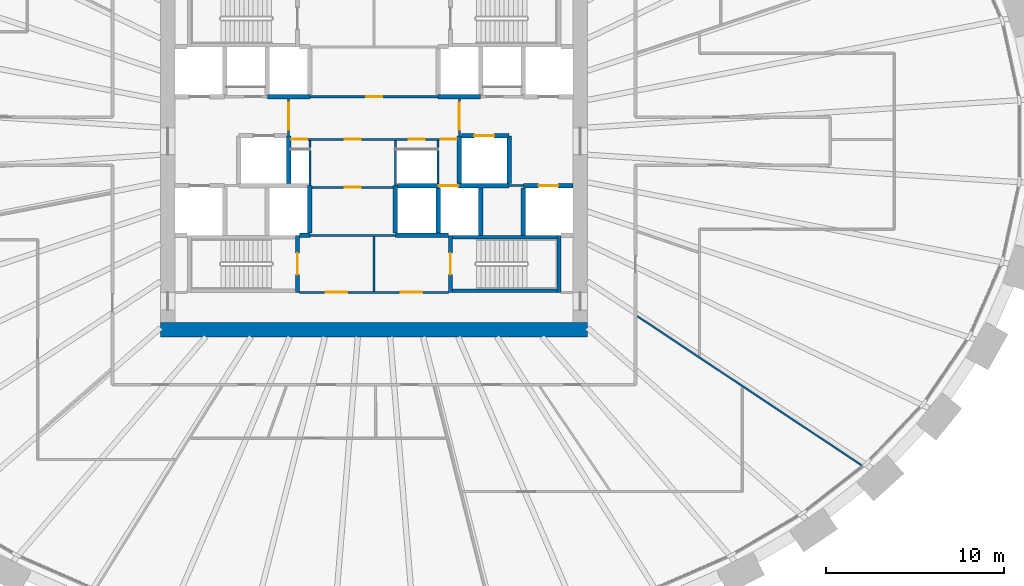
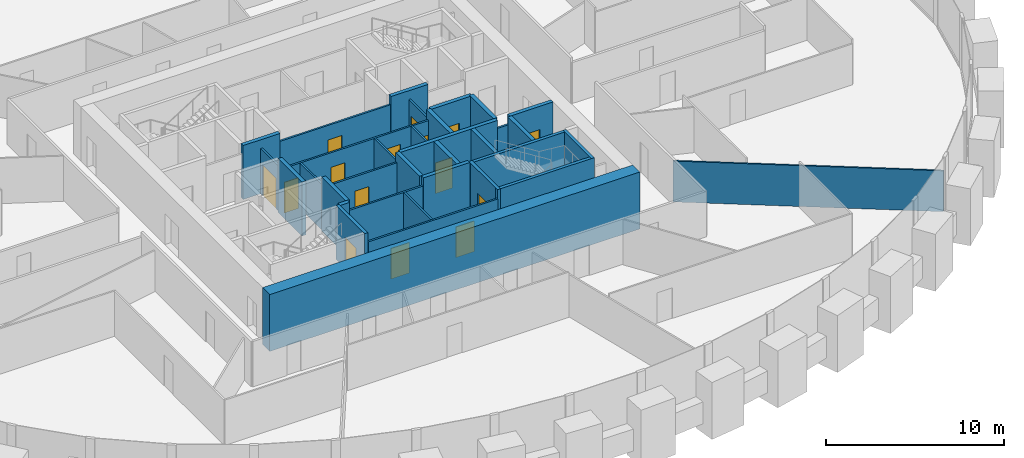
# One storey, part 7 of 10: 34 walls, 15 doors, 15 openings.
"""IFC4 building model written with IfcOpenShell, lengths in metres."""

import ifcopenshell
import ifcopenshell.guid

model = None  # the IFC model being written
_history = None  # IfcOwnerHistory: only IFC2X3 demands one
_inside = {}  # id of a spatial element -> (the spatial element, [elements in it])
_under = {}  # id of a project, library or spatial element -> (it, [spatial elements below it])
_declared = {}  # id of a project -> (the project, [libraries it declares])
_typed = {}  # id of a type object -> (the type object, [elements of that type])
_made_of = {}  # id of a material, layer set ... -> (it, [elements and type objects made of it])


def new_model(schema):
    """Start an empty IFC model of exactly this schema.

    Asked for "IFC4X3", IfcOpenShell would pick the latest addendum, in which some entities
    have other attributes; the version numbers below select the first issue.
    IFC2X3 requires an IfcOwnerHistory on every rooted entity: one is made here for all.
    """
    global model, _history
    if schema == "IFC4X3":
        model = ifcopenshell.file(schema_version=(4, 3, 0, 0))
    else:
        model = ifcopenshell.file(schema=schema)
    _inside.clear()
    _under.clear()
    _declared.clear()
    _typed.clear()
    _made_of.clear()
    _history = None
    if model.schema == "IFC2X3":
        org = make("IfcOrganization", Name="unknown")
        user = make(
            "IfcPersonAndOrganization",
            ThePerson=make("IfcPerson", FamilyName="unknown"),
            TheOrganization=org,
        )
        app = make(
            "IfcApplication",
            ApplicationDeveloper=org,
            Version="unknown",
            ApplicationFullName="unknown",
            ApplicationIdentifier="unknown",
        )
        _history = make(
            "IfcOwnerHistory",
            OwningUser=user,
            OwningApplication=app,
            ChangeAction="ADDED",
            CreationDate=0,
        )
    return model


def make(cls, **values):
    """One entity of the class cls with the attributes given. An attribute that is None is left unset."""
    return model.create_entity(
        cls, **{name: value for name, value in values.items() if value is not None}
    )


def rooted(cls, **values):
    """An entity with a GlobalId (a new one), such as an element, a storey or a relation."""
    return make(cls, GlobalId=ifcopenshell.guid.new(), OwnerHistory=_history, **values)


def si_unit(unit_type, name, prefix=None):
    """IfcSIUnit, for example si_unit("LENGTHUNIT", "METRE", prefix="MILLI")."""
    return make("IfcSIUnit", UnitType=unit_type, Prefix=prefix, Name=name)


def assignment(units):
    """IfcUnitAssignment: the units of a project."""
    return None if units is None else make("IfcUnitAssignment", Units=units)


def point(xyz):
    """IfcCartesianPoint."""
    return None if xyz is None else make("IfcCartesianPoint", Coordinates=xyz)


def direction(xyz):
    """IfcDirection."""
    return None if xyz is None else make("IfcDirection", DirectionRatios=xyz)


def frame(location, z_axis=None, x_axis=None):
    """IfcAxis2Placement3D, a coordinate frame: its origin and axes. An axis left out is left unset."""
    return make(
        "IfcAxis2Placement3D",
        Location=point(location),
        Axis=direction(z_axis),
        RefDirection=direction(x_axis),
    )


def frame_2d(location, x_axis=None):
    """IfcAxis2Placement2D, a coordinate frame in the plane: its origin and x axis."""
    return make(
        "IfcAxis2Placement2D", Location=point(location), RefDirection=direction(x_axis)
    )


def origin():
    """The frame at (0, 0, 0) with its axes left unset."""
    return frame((0.0, 0.0, 0.0))


def place(relative_to, where):
    """IfcLocalPlacement: puts the frame where relative to a parent placement (None: the world)."""
    return make(
        "IfcLocalPlacement", PlacementRelTo=relative_to, RelativePlacement=where
    )


def context(
    kind, dimensions, precision=None, world=None, true_north=None, identifier=None
):
    """IfcGeometricRepresentationContext, for example the 3D "Model" context."""
    return make(
        "IfcGeometricRepresentationContext",
        ContextIdentifier=identifier,
        ContextType=kind,
        CoordinateSpaceDimension=dimensions,
        Precision=precision,
        WorldCoordinateSystem=world,
        TrueNorth=true_north,
    )


def subcontext(parent, identifier, kind, view, scale=None):
    """IfcGeometricRepresentationSubContext, for example "Body" below "Model"."""
    return make(
        "IfcGeometricRepresentationSubContext",
        ContextIdentifier=identifier,
        ContextType=kind,
        ParentContext=parent,
        TargetScale=scale,
        TargetView=view,
    )


def project(units=None, contexts=None):
    """IfcProject with its units and contexts."""
    return rooted(
        "IfcProject",
        Name="project",
        RepresentationContexts=contexts,
        UnitsInContext=assignment(units),
    )


def spatial(cls, under=None, at=None, **own):
    """A site, building, storey or space (cls), placed at a placement, below another one or the project."""
    s = rooted(cls, ObjectPlacement=at, **own)
    if under is not None:
        _under.setdefault(under.id(), (under, []))[1].append(s)
    return s


def profile(cls, at=None, kind="AREA", **sizes):
    """A parametric profile (cls). Its sizes go by their IFC names, for example OverallWidth=200.0."""
    return make(cls, ProfileType=kind, Position=at, **sizes)


def rectangle(**sizes):
    """IfcRectangleProfileDef."""
    return profile("IfcRectangleProfileDef", **sizes)


def extrude(swept, where, along, depth):
    """IfcExtrudedAreaSolid: the profile swept, set in the frame where, extruded along a direction by depth."""
    return make(
        "IfcExtrudedAreaSolid",
        SweptArea=swept,
        Position=where,
        ExtrudedDirection=direction(along),
        Depth=depth,
    )


def shape(context_of_items, identifier, shape_type, items):
    """IfcShapeRepresentation: the items that make up one representation, for example the "Body"."""
    return make(
        "IfcShapeRepresentation",
        ContextOfItems=context_of_items,
        RepresentationIdentifier=identifier,
        RepresentationType=shape_type,
        Items=items,
    )


def source(mapping_origin, context_of_items, identifier, shape_type, items):
    """IfcRepresentationMap: a shape defined once, which mapped items show again and again."""
    return make(
        "IfcRepresentationMap",
        MappingOrigin=mapping_origin,
        MappedRepresentation=shape(context_of_items, identifier, shape_type, items),
    )


def transform(
    local_origin,
    x_axis=None,
    y_axis=None,
    z_axis=None,
    scale=None,
    scale2=None,
    scale3=None,
    uniform=True,
):
    """IfcCartesianTransformationOperator3D, or its non-uniform kind. x_axis, y_axis, z_axis: its Axis1, 2, 3."""
    if uniform:
        return make(
            "IfcCartesianTransformationOperator3D",
            Axis1=direction(x_axis),
            Axis2=direction(y_axis),
            LocalOrigin=point(local_origin),
            Scale=scale,
            Axis3=direction(z_axis),
        )
    return make(
        "IfcCartesianTransformationOperator3DnonUniform",
        Axis1=direction(x_axis),
        Axis2=direction(y_axis),
        LocalOrigin=point(local_origin),
        Scale=scale,
        Axis3=direction(z_axis),
        Scale2=scale2,
        Scale3=scale3,
    )


def mapped(mapping_source, mapping_target):
    """IfcMappedItem: shows the shape of a source again, moved by a transform."""
    return make(
        "IfcMappedItem", MappingSource=mapping_source, MappingTarget=mapping_target
    )


def material(Name=None, Category=None):
    """IfcMaterial."""
    return make("IfcMaterial", Name=Name, Category=Category)


def layer(
    of_material, thickness, ventilated=None, Name=None, Category=None, Priority=None
):
    """IfcMaterialLayer: one layer of a wall or slab, of a material (None: an air gap)."""
    return make(
        "IfcMaterialLayer",
        Material=of_material,
        LayerThickness=thickness,
        IsVentilated=ventilated,
        Name=Name,
        Category=Category,
        Priority=Priority,
    )


def layer_set(layers, Name=None):
    """IfcMaterialLayerSet."""
    return make("IfcMaterialLayerSet", MaterialLayers=layers, LayerSetName=Name)


def made_of(thing, what):
    """Note that an element or type object is made of a material, layer set ...; save() writes the relation."""
    if what is not None:
        _made_of.setdefault(what.id(), (what, []))[1].append(thing)
    return thing


def type_object(cls, material=None, **own):
    """A type object (cls), such as IfcWallType, which elements share."""
    return made_of(rooted(cls, **own), material)


def element(
    cls,
    number,
    at=None,
    inside=None,
    cuts=None,
    type_object=None,
    material=None,
    context=None,
    identifier="Body",
    shape_type=None,
    held_by="IfcProductDefinitionShape",
    body=None,
    shapes=None,
    **own,
):
    """One element of the class cls, such as IfcWall. Its Tag is "e" and its number.

    at: its placement. inside: the storey or other place that contains it. cuts: it is an
    opening in that element (IfcRelVoidsElement). A single representation is given by context,
    identifier, shape_type and body (its items); several are given by shapes. held_by: the class
    of the entity that holds the representations. save() writes the other relations.
    """
    e = rooted(cls, Tag="e%d" % number, ObjectPlacement=at, **own)
    if body is not None:
        shapes = [shape(context, identifier, shape_type, body)]
    if shapes is not None:
        e.Representation = make(held_by, Representations=shapes)
    if inside is not None:
        _inside.setdefault(inside.id(), (inside, []))[1].append(e)
    if cuts is not None:
        rooted(
            "IfcRelVoidsElement", RelatingBuildingElement=cuts, RelatedOpeningElement=e
        )
    if type_object is not None:
        _typed.setdefault(type_object.id(), (type_object, []))[1].append(e)
    return made_of(e, material)


def fill(opening, filler):
    """IfcRelFillsElement: the door or window that sits in an opening."""
    return rooted(
        "IfcRelFillsElement",
        RelatingOpeningElement=opening,
        RelatedBuildingElement=filler,
    )


def aggregate(whole, parts):
    """IfcRelAggregates: a whole, such as a stair, and the parts it consists of."""
    return rooted("IfcRelAggregates", RelatingObject=whole, RelatedObjects=parts)


def save(model, path):
    """Write the relations noted so far, then the file.

    IfcRelAggregates (storeys below a building ...), IfcRelContainedInSpatialStructure (elements
    in a storey), IfcRelDefinesByType, IfcRelAssociatesMaterial and IfcRelDeclares: one each for
    every whole, place, type object, material and project.
    """
    for whole, parts in _under.values():
        aggregate(whole, parts)
    for where, things in _inside.values():
        rooted(
            "IfcRelContainedInSpatialStructure",
            RelatedElements=things,
            RelatingStructure=where,
        )
    for kind, things in _typed.values():
        rooted("IfcRelDefinesByType", RelatedObjects=things, RelatingType=kind)
    for what, things in _made_of.values():
        rooted("IfcRelAssociatesMaterial", RelatedObjects=things, RelatingMaterial=what)
    for by, libraries in _declared.values():
        rooted("IfcRelDeclares", RelatingContext=by, RelatedDefinitions=libraries)
    model.write(path)


model = new_model("IFC4")

# Units and contexts
model_context = context("Model", 3, precision=1e-05, world=origin(), true_north=direction((0.0, 1.0)))
body_context = subcontext(model_context, "Body", "Model", "MODEL_VIEW")
ifc_project = project(units=[si_unit("LENGTHUNIT", "METRE"), si_unit("AREAUNIT", "SQUARE_METRE"), si_unit("VOLUMEUNIT", "CUBIC_METRE"), si_unit("PLANEANGLEUNIT", "RADIAN"), si_unit("MASSUNIT", "GRAM", prefix="KILO")], contexts=[model_context])

# Site, building, storey
site_placement = place(None, origin())
site = spatial("IfcSite", under=ifc_project, at=site_placement, CompositionType="ELEMENT")
building_placement = place(site_placement, origin())
building = spatial("IfcBuilding", under=site, at=building_placement, Name="Embergate Tower", CompositionType="ELEMENT")
storey_placement = place(building_placement, frame((0.0, 0.0, 163.800048828125)))
storey = spatial("IfcBuildingStorey", under=building, at=storey_placement, Name="L36", CompositionType="ELEMENT", Elevation=163.800048828125)

# Walls
ifc_material_1 = material(Name="Concrete C70", Category="concrete")
ifc_layer_1 = layer(ifc_material_1, 0.800048828125)
ifc_layer_set_1 = layer_set([ifc_layer_1], Name="Concrete C70")
wall_type_1 = type_object("IfcWallType", Name="Core outer wall C70 800", PredefinedType="SHEAR", material=ifc_layer_set_1)
shared_shape_1 = source(origin(), body_context, "Body", "SweptSolid", [
    extrude(rectangle(XDim=24.0, YDim=0.800048828125, at=frame_2d((12.0, 0.0))), origin(), (0.0, 0.0, 1.0), 3.89990234375),
])
wall_1_placement = place(storey_placement, frame((-12.0, -10.60009765625, -0.199951171875), z_axis=(0.0, 0.0, 1.0), x_axis=(1.0, 0.0, 0.0)))
element("IfcWall", 1, at=wall_1_placement, inside=storey, type_object=wall_type_1, Name="CW-L36-S", PredefinedType="SHEAR", context=body_context, shape_type="MappedRepresentation", body=[
    mapped(shared_shape_1, transform((0.0, 0.0, 0.0))),
])
ifc_material_2 = material(Name="Concrete C50", Category="concrete")
ifc_layer_2 = layer(ifc_material_2, 0.25)
ifc_layer_set_2 = layer_set([ifc_layer_2], Name="Concrete C50")
wall_type_2 = type_object("IfcWallType", Name="Hoistway wall reinforced concrete 250", PredefinedType="SHEAR", material=ifc_layer_set_2)
shared_shape_2 = source(origin(), body_context, "Body", "SweptSolid", [
    extrude(rectangle(XDim=2.675048828125, YDim=0.25, at=frame_2d((1.33740234375, 0.0))), origin(), (0.0, 0.0, 1.0), 3.699951171875),
])
for number, where, z_axis, x_axis, name in (
    (2, (-3.60009765625, -5.175048828125, 0.0), (0.0, 0.0, 1.0), (0.0, 1.0, 0.0), "HW-1 wall"),
    (3, (1.199951171875, -2.5, 0.0), (0.0, 0.0, 1.0), (0.0, -1.0, 0.0), "HW-1 wall"),
    (4, (-4.800048828125, 0.300048828125, 0.0), (0.0, 0.0, 1.0), (0.0, -1.0, 0.0), "HW-1 wall"),
    (5, (4.800048828125, -2.375, 0.0), (0.0, 0.0, 1.0), (0.0, 1.0, 0.0), "HW-1 wall"),
):
    element("IfcWall", number, at=place(storey_placement, frame(where, z_axis=z_axis, x_axis=x_axis)), inside=storey, type_object=wall_type_2, Name=name, PredefinedType="SHEAR", context=body_context, shape_type="MappedRepresentation", body=[
        mapped(shared_shape_2, transform((0.0, 0.0, 0.0))),
    ])

# Wall, opening, door
wall_2_placement = place(storey_placement, frame((7.60009765625, 0.300048828125, 0.0), z_axis=(0.0, 0.0, 1.0), x_axis=(-1.0, 0.0, 0.0)))
wall_2 = element("IfcWall", 6, at=wall_2_placement, inside=storey, type_object=wall_type_2, Name="HW-1 wall", PredefinedType="SHEAR", context=body_context, shape_type="MappedRepresentation", body=[
    mapped(shared_shape_2, transform((0.0, 0.0, 0.0))),
])
shared_shape_3 = source(origin(), body_context, "Body", "SweptSolid", [
    extrude(rectangle(XDim=1.10009765625, YDim=2.10009765625, at=frame_2d((0.550048828125, 1.050048828125))), frame((0.0, 0.135009765625, 0.0), z_axis=(0.0, -1.0, 0.0), x_axis=(1.0, 0.0, 0.0)), (0.0, 0.0, 1.0), 0.27001953125),
])
opening_1_placement = place(wall_2_placement, frame((0.85009765625, 0.0, 0.0)))
opening_1 = element("IfcOpeningElement", 7, at=opening_1_placement, cuts=wall_2, Name="Opening LD", PredefinedType="OPENING", context=body_context, shape_type="MappedRepresentation", body=[
    mapped(shared_shape_3, transform((0.0, 0.0, 0.0))),
])
ifc_material_3 = material(Name="Landing door sliding 1100")
door_type_1 = type_object("IfcDoorType", Name="Landing door sliding 1100", OperationType="SLIDING_TO_LEFT", PredefinedType="DOOR", material=ifc_material_3)
shared_shape_4 = source(origin(), body_context, "Body", "SweptSolid", [
    extrude(rectangle(XDim=1.10009765625, YDim=2.10009765625, at=frame_2d((0.550048828125, 1.050048828125))), frame((0.0, 0.02490234375, 0.0), z_axis=(0.0, -1.0, 0.0), x_axis=(1.0, 0.0, 0.0)), (0.0, 0.0, 1.0), 0.050048828125),
])
door_1_placement = place(opening_1_placement, origin())
door_1 = element("IfcDoor", 8, at=door_1_placement, inside=storey, type_object=door_type_1, Name="LD door", OperationType="SLIDING_TO_LEFT", OverallHeight=2.10009765625, OverallWidth=1.10009765625, PredefinedType="DOOR", context=body_context, shape_type="MappedRepresentation", body=[
    mapped(shared_shape_4, transform((0.0, 0.0, 0.0))),
])
fill(opening_1, door_1)

# Walls
wall_3_placement = place(storey_placement, frame((7.60009765625, -2.375, 0.0), z_axis=(0.0, 0.0, 1.0), x_axis=(0.0, 1.0, 0.0)))
element("IfcWall", 9, at=wall_3_placement, inside=storey, type_object=wall_type_2, Name="HW-1 wall", PredefinedType="SHEAR", context=body_context, shape_type="MappedRepresentation", body=[
    mapped(shared_shape_2, transform((0.0, 0.0, 0.0))),
])
ifc_layer_3 = layer(ifc_material_2, 0.199951171875)
ifc_layer_set_3 = layer_set([ifc_layer_3], Name="Concrete C50")
wall_type_3 = type_object("IfcWallType", Name="Stair enclosure wall reinforced concrete 250", PredefinedType="SHEAR", material=ifc_layer_set_3)
shared_shape_5 = source(origin(), body_context, "Body", "SweptSolid", [
    extrude(rectangle(XDim=6.300048828125, YDim=0.199951171875, at=frame_2d((3.14990234375, 0.0))), origin(), (0.0, 0.0, 1.0), 3.699951171875),
])
for number, where, z_axis, x_axis, name in (
    (10, (4.199951171875, -5.39990234375, 0.0), (0.0, 0.0, 1.0), (1.0, 0.0, 0.0), "SE-1 wall"),
    (11, (4.199951171875, -8.39990234375, 0.0), (0.0, 0.0, 1.0), (1.0, 0.0, 0.0), "SE-1 wall"),
):
    element("IfcWall", number, at=place(storey_placement, frame(where, z_axis=z_axis, x_axis=x_axis)), inside=storey, type_object=wall_type_3, Name=name, PredefinedType="SHEAR", context=body_context, shape_type="MappedRepresentation", body=[
        mapped(shared_shape_5, transform((0.0, 0.0, 0.0))),
    ])
shared_shape_6 = source(origin(), body_context, "Body", "SweptSolid", [
    extrude(rectangle(XDim=2.550048828125, YDim=0.25, at=frame_2d((1.27490234375, 0.0))), origin(), (0.0, 0.0, 1.0), 3.699951171875),
])
wall_4_placement = place(storey_placement, frame((3.60009765625, -5.175048828125, 0.0), z_axis=(0.0, 0.0, 1.0), x_axis=(0.0, 1.0, 0.0)))
element("IfcWall", 12, at=wall_4_placement, inside=storey, type_object=wall_type_2, Name="HW-1 wall", PredefinedType="SHEAR", context=body_context, shape_type="MappedRepresentation", body=[
    mapped(shared_shape_6, transform((0.0, 0.0, 0.0))),
])

# Wall, opening, door
shared_shape_7 = source(origin(), body_context, "Body", "SweptSolid", [
    extrude(rectangle(XDim=3.199951171875, YDim=0.199951171875, at=frame_2d((1.60009765625, 0.0))), origin(), (0.0, 0.0, 1.0), 3.699951171875),
])
wall_5_placement = place(storey_placement, frame((-4.300048828125, -8.5, 0.0), z_axis=(0.0, 0.0, 1.0), x_axis=(0.0, 1.0, 0.0)))
wall_5 = element("IfcWall", 13, at=wall_5_placement, inside=storey, type_object=wall_type_3, Name="SE-1 wall", PredefinedType="SHEAR", context=body_context, shape_type="MappedRepresentation", body=[
    mapped(shared_shape_7, transform((0.0, 0.0, 0.0))),
])
shared_shape_8 = source(origin(), body_context, "Body", "SweptSolid", [
    extrude(rectangle(XDim=1.199951171875, YDim=2.10009765625, at=frame_2d((0.60009765625, 1.050048828125))), frame((0.0, 0.10986328125, 0.0), z_axis=(0.0, -1.0, 0.0), x_axis=(1.0, 0.0, 0.0)), (0.0, 0.0, 1.0), 0.219970703125),
])
opening_2_placement = place(wall_5_placement, frame((1.0, 0.0, 0.0)))
opening_2 = element("IfcOpeningElement", 14, at=opening_2_placement, cuts=wall_5, Name="Opening IF-2", PredefinedType="OPENING", context=body_context, shape_type="MappedRepresentation", body=[
    mapped(shared_shape_8, transform((0.0, 0.0, 0.0))),
])
ifc_material_4 = material(Name="Stair enclosure door 1200")
door_type_2 = type_object("IfcDoorType", Name="Stair enclosure door 1200", OperationType="SINGLE_SWING_LEFT", PredefinedType="DOOR", material=ifc_material_4)
shared_shape_9 = source(origin(), body_context, "Body", "SweptSolid", [
    extrude(rectangle(XDim=1.199951171875, YDim=2.10009765625, at=frame_2d((0.60009765625, 1.050048828125))), frame((0.0, 0.02490234375, 0.0), z_axis=(0.0, -1.0, 0.0), x_axis=(1.0, 0.0, 0.0)), (0.0, 0.0, 1.0), 0.050048828125),
])
door_2_placement = place(opening_2_placement, origin())
door_2 = element("IfcDoor", 15, at=door_2_placement, inside=storey, type_object=door_type_2, Name="IF-2 door", OperationType="SINGLE_SWING_RIGHT", OverallHeight=2.10009765625, OverallWidth=1.199951171875, PredefinedType="DOOR", context=body_context, shape_type="MappedRepresentation", body=[
    mapped(shared_shape_9, transform((0.0, 0.0, 0.0))),
])
fill(opening_2, door_2)

wall_6_placement = place(storey_placement, frame((4.300048828125, -5.300048828125, 0.0), z_axis=(0.0, 0.0, 1.0), x_axis=(0.0, -1.0, 0.0)))
wall_6 = element("IfcWall", 16, at=wall_6_placement, inside=storey, type_object=wall_type_3, Name="SE-1 wall", PredefinedType="SHEAR", context=body_context, shape_type="MappedRepresentation", body=[
    mapped(shared_shape_7, transform((0.0, 0.0, 0.0))),
])
opening_3_placement = place(wall_6_placement, frame((1.0, 0.0, 0.0)))
opening_3 = element("IfcOpeningElement", 17, at=opening_3_placement, cuts=wall_6, Name="Opening IF-2", PredefinedType="OPENING", context=body_context, shape_type="MappedRepresentation", body=[
    mapped(shared_shape_8, transform((0.0, 0.0, 0.0))),
])
door_3_placement = place(opening_3_placement, origin())
door_3 = element("IfcDoor", 18, at=door_3_placement, inside=storey, type_object=door_type_2, Name="IF-2 door", OperationType="SINGLE_SWING_LEFT", OverallHeight=2.10009765625, OverallWidth=1.199951171875, PredefinedType="DOOR", context=body_context, shape_type="MappedRepresentation", body=[
    mapped(shared_shape_9, transform((0.0, 0.0, 0.0))),
])
fill(opening_3, door_3)

# Walls
shared_shape_10 = source(origin(), body_context, "Body", "SweptSolid", [
    extrude(rectangle(XDim=2.39990234375, YDim=0.25, at=frame_2d((1.199951171875, 0.0))), origin(), (0.0, 0.0, 1.0), 3.699951171875),
])
for number, where, z_axis, x_axis, name in (
    (19, (-6.0, 2.5, 0.0), (0.0, 0.0, 1.0), (1.0, 0.0, 0.0), "HW-1 wall"),
    (20, (3.60009765625, 2.5, 0.0), (0.0, 0.0, 1.0), (1.0, 0.0, 0.0), "HW-1 wall"),
):
    element("IfcWall", number, at=place(storey_placement, frame(where, z_axis=z_axis, x_axis=x_axis)), inside=storey, type_object=wall_type_2, Name=name, PredefinedType="SHEAR", context=body_context, shape_type="MappedRepresentation", body=[
        mapped(shared_shape_10, transform((0.0, 0.0, 0.0))),
    ])

# Wall, opening, door
ifc_material_5 = material(Name="Core partition blockwork 120")
ifc_layer_4 = layer(ifc_material_5, 0.1201171875)
ifc_layer_set_4 = layer_set([ifc_layer_4], Name="Core partition blockwork 120")
wall_type_4 = type_object("IfcWallType", Name="Core partition blockwork 120", PredefinedType="PARTITIONING", material=ifc_layer_set_4)
shared_shape_11 = source(origin(), body_context, "Body", "SweptSolid", [
    extrude(rectangle(XDim=2.074951171875, YDim=0.1201171875, at=frame_2d((1.03759765625, 0.0))), origin(), (0.0, 0.0, 1.0), 3.099853515625),
])
wall_7_placement = place(storey_placement, frame((-4.800048828125, 2.375, 0.0), z_axis=(0.0, 0.0, 1.0), x_axis=(0.0, -1.0, 0.0)))
wall_7 = element("IfcWall", 21, at=wall_7_placement, inside=storey, type_object=wall_type_4, Name="IP-3 wall", PredefinedType="PARTITIONING", context=body_context, shape_type="MappedRepresentation", body=[
    mapped(shared_shape_11, transform((0.0, 0.0, 0.0))),
])
shared_shape_12 = source(origin(), body_context, "Body", "SweptSolid", [
    extrude(rectangle(XDim=1.5, YDim=2.10009765625, at=frame_2d((0.75, 1.050048828125))), frame((0.0, 0.070068359375, 0.0), z_axis=(0.0, -1.0, 0.0), x_axis=(1.0, 0.0, 0.0)), (0.0, 0.0, 1.0), 0.14013671875),
])
opening_4_placement = place(wall_7_placement, frame((0.22509765625, 0.0, 0.0)))
opening_4 = element("IfcOpeningElement", 22, at=opening_4_placement, cuts=wall_7, Name="Opening IF-3", PredefinedType="OPENING", context=body_context, shape_type="MappedRepresentation", body=[
    mapped(shared_shape_12, transform((0.0, 0.0, 0.0))),
])
ifc_material_6 = material(Name="Lobby fire door pair 1500")
door_type_3 = type_object("IfcDoorType", Name="Lobby fire door pair 1500", OperationType="DOUBLE_DOOR_SINGLE_SWING", PredefinedType="DOOR", material=ifc_material_6)
shared_shape_13 = source(origin(), body_context, "Body", "SweptSolid", [
    extrude(rectangle(XDim=1.5, YDim=2.10009765625, at=frame_2d((0.75, 1.050048828125))), frame((0.0, 0.02490234375, 0.0), z_axis=(0.0, -1.0, 0.0), x_axis=(1.0, 0.0, 0.0)), (0.0, 0.0, 1.0), 0.050048828125),
])
door_4_placement = place(opening_4_placement, origin())
door_4 = element("IfcDoor", 23, at=door_4_placement, inside=storey, type_object=door_type_3, Name="IF-3 door", OperationType="DOUBLE_DOOR_SINGLE_SWING", OverallHeight=2.10009765625, OverallWidth=1.5, PredefinedType="DOOR", context=body_context, shape_type="MappedRepresentation", body=[
    mapped(shared_shape_13, transform((0.0, 0.0, 0.0))),
])
fill(opening_4, door_4)

wall_8_placement = place(storey_placement, frame((4.800048828125, 0.300048828125, 0.0), z_axis=(0.0, 0.0, 1.0), x_axis=(0.0, 1.0, 0.0)))
wall_8 = element("IfcWall", 24, at=wall_8_placement, inside=storey, type_object=wall_type_4, Name="IP-3 wall", PredefinedType="PARTITIONING", context=body_context, shape_type="MappedRepresentation", body=[
    mapped(shared_shape_11, transform((0.0, 0.0, 0.0))),
])
opening_5_placement = place(wall_8_placement, frame((0.35009765625, 0.0, 0.0)))
opening_5 = element("IfcOpeningElement", 25, at=opening_5_placement, cuts=wall_8, Name="Opening IF-3", PredefinedType="OPENING", context=body_context, shape_type="MappedRepresentation", body=[
    mapped(shared_shape_12, transform((0.0, 0.0, 0.0))),
])
door_5_placement = place(opening_5_placement, origin())
door_5 = element("IfcDoor", 26, at=door_5_placement, inside=storey, type_object=door_type_3, Name="IF-3 door", OperationType="DOUBLE_DOOR_SINGLE_SWING", OverallHeight=2.10009765625, OverallWidth=1.5, PredefinedType="DOOR", context=body_context, shape_type="MappedRepresentation", body=[
    mapped(shared_shape_13, transform((0.0, 0.0, 0.0))),
])
fill(opening_5, door_5)

# Wall, openings, doors
shared_shape_14 = source(origin(), body_context, "Body", "SweptSolid", [
    extrude(rectangle(XDim=8.39990234375, YDim=0.1201171875, at=frame_2d((4.199951171875, 0.0))), origin(), (0.0, 0.0, 1.0), 3.099853515625),
])
wall_9_placement = place(storey_placement, frame((-4.199951171875, -8.5, 0.0), z_axis=(0.0, 0.0, 1.0), x_axis=(1.0, 0.0, 0.0)))
wall_9 = element("IfcWall", 27, at=wall_9_placement, inside=storey, type_object=wall_type_4, Name="IP-3 wall", PredefinedType="PARTITIONING", context=body_context, shape_type="MappedRepresentation", body=[
    mapped(shared_shape_14, transform((0.0, 0.0, 0.0))),
])
shared_shape_15 = source(origin(), body_context, "Body", "SweptSolid", [
    extrude(rectangle(XDim=1.199951171875, YDim=2.10009765625, at=frame_2d((0.60009765625, 1.050048828125))), frame((0.0, 0.070068359375, 0.0), z_axis=(0.0, -1.0, 0.0), x_axis=(1.0, 0.0, 0.0)), (0.0, 0.0, 1.0), 0.14013671875),
])
opening_6_placement = place(wall_9_placement, frame((1.5, 0.0, 0.0)))
opening_6 = element("IfcOpeningElement", 28, at=opening_6_placement, cuts=wall_9, Name="Opening IF-3f", PredefinedType="OPENING", context=body_context, shape_type="MappedRepresentation", body=[
    mapped(shared_shape_15, transform((0.0, 0.0, 0.0))),
])
opening_7_placement = place(wall_9_placement, frame((5.699951171875, 0.0, 0.0)))
opening_7 = element("IfcOpeningElement", 29, at=opening_7_placement, cuts=wall_9, Name="Opening IF-3f", PredefinedType="OPENING", context=body_context, shape_type="MappedRepresentation", body=[
    mapped(shared_shape_15, transform((0.0, 0.0, 0.0))),
])
ifc_material_7 = material(Name="Lobby fire door pair 1200")
door_type_4 = type_object("IfcDoorType", Name="Lobby fire door pair 1200", OperationType="DOUBLE_DOOR_SINGLE_SWING", PredefinedType="DOOR", material=ifc_material_7)
door_6_placement = place(opening_6_placement, origin())
door_6 = element("IfcDoor", 30, at=door_6_placement, inside=storey, type_object=door_type_4, Name="IF-3 door", OperationType="DOUBLE_DOOR_SINGLE_SWING", OverallHeight=2.10009765625, OverallWidth=1.199951171875, PredefinedType="DOOR", context=body_context, shape_type="MappedRepresentation", body=[
    mapped(shared_shape_9, transform((0.0, 0.0, 0.0))),
])
fill(opening_6, door_6)
door_7_placement = place(opening_7_placement, origin())
door_7 = element("IfcDoor", 31, at=door_7_placement, inside=storey, type_object=door_type_4, Name="IF-3 door", OperationType="DOUBLE_DOOR_SINGLE_SWING", OverallHeight=2.10009765625, OverallWidth=1.199951171875, PredefinedType="DOOR", context=body_context, shape_type="MappedRepresentation", body=[
    mapped(shared_shape_9, transform((0.0, 0.0, 0.0))),
])
fill(opening_7, door_7)

# Wall, opening, door
shared_shape_16 = source(origin(), body_context, "Body", "SweptSolid", [
    extrude(rectangle(XDim=2.800048828125, YDim=0.25, at=frame_2d((1.39990234375, 0.0))), origin(), (0.0, 0.0, 1.0), 3.699951171875),
])
wall_10_placement = place(storey_placement, frame((11.199951171875, -2.5, 0.0), z_axis=(0.0, 0.0, 1.0), x_axis=(-1.0, 0.0, 0.0)))
wall_10 = element("IfcWall", 32, at=wall_10_placement, inside=storey, type_object=wall_type_2, Name="HW-1 wall", PredefinedType="SHEAR", context=body_context, shape_type="MappedRepresentation", body=[
    mapped(shared_shape_16, transform((0.0, 0.0, 0.0))),
])
opening_8_placement = place(wall_10_placement, frame((0.85009765625, 0.0, 0.0)))
opening_8 = element("IfcOpeningElement", 33, at=opening_8_placement, cuts=wall_10, Name="Opening LD", PredefinedType="OPENING", context=body_context, shape_type="MappedRepresentation", body=[
    mapped(shared_shape_3, transform((0.0, 0.0, 0.0))),
])
door_8_placement = place(opening_8_placement, origin())
door_8 = element("IfcDoor", 34, at=door_8_placement, inside=storey, type_object=door_type_1, Name="LD door", OperationType="SLIDING_TO_RIGHT", OverallHeight=2.10009765625, OverallWidth=1.10009765625, PredefinedType="DOOR", context=body_context, shape_type="MappedRepresentation", body=[
    mapped(shared_shape_4, transform((0.0, 0.0, 0.0))),
])
fill(opening_8, door_8)

# Wall
shared_shape_17 = source(origin(), body_context, "Body", "SweptSolid", [
    extrude(rectangle(XDim=0.599853515625, YDim=0.25, at=frame_2d((0.2998046875, 0.0))), origin(), (0.0, 0.0, 1.0), 3.699951171875),
])
wall_11_placement = place(storey_placement, frame((-4.199951171875, -5.300048828125, 0.0), z_axis=(0.0, 0.0, 1.0), x_axis=(1.0, 0.0, 0.0)))
element("IfcWall", 35, at=wall_11_placement, inside=storey, type_object=wall_type_2, Name="HW-1 wall", PredefinedType="SHEAR", context=body_context, shape_type="MappedRepresentation", body=[
    mapped(shared_shape_17, transform((0.0, 0.0, 0.0))),
])

# Wall, opening, door
shared_shape_18 = source(origin(), body_context, "Body", "SweptSolid", [
    extrude(rectangle(XDim=6.27294921875, YDim=0.25, at=frame_2d((3.136474609375, 0.0))), origin(), (0.0, 0.0, 1.0), 3.699951171875),
])
wall_12_placement = place(storey_placement, frame((7.597900390625, -2.5, 0.0), z_axis=(0.0, 0.0, 1.0), x_axis=(-1.0, 0.0, 0.0)))
wall_12 = element("IfcWall", 36, at=wall_12_placement, inside=storey, type_object=wall_type_2, Name="HW-1 wall", PredefinedType="SHEAR", context=body_context, shape_type="MappedRepresentation", body=[
    mapped(shared_shape_18, transform((0.0, 0.0, 0.0))),
])
opening_9_placement = place(wall_12_placement, frame((2.847900390625, 0.0, 0.0)))
opening_9 = element("IfcOpeningElement", 37, at=opening_9_placement, cuts=wall_12, Name="Opening LD", PredefinedType="OPENING", context=body_context, shape_type="MappedRepresentation", body=[
    mapped(shared_shape_3, transform((0.0, 0.0, 0.0))),
])
door_9_placement = place(opening_9_placement, origin())
door_9 = element("IfcDoor", 38, at=door_9_placement, inside=storey, type_object=door_type_1, Name="LD door", OperationType="SLIDING_TO_RIGHT", OverallHeight=2.10009765625, OverallWidth=1.10009765625, PredefinedType="DOOR", context=body_context, shape_type="MappedRepresentation", body=[
    mapped(shared_shape_4, transform((0.0, 0.0, 0.0))),
])
fill(opening_9, door_9)

# Walls
shared_shape_19 = source(origin(), body_context, "Body", "SweptSolid", [
    extrude(rectangle(XDim=3.0, YDim=0.25, at=frame_2d((1.5, 0.0))), origin(), (0.0, 0.0, 1.0), 3.699951171875),
])
wall_13_placement = place(storey_placement, frame((1.199951171875, -5.300048828125, 0.0), z_axis=(0.0, 0.0, 1.0), x_axis=(1.0, 0.0, 0.0)))
element("IfcWall", 39, at=wall_13_placement, inside=storey, type_object=wall_type_2, Name="HW-1 wall", PredefinedType="SHEAR", context=body_context, shape_type="MappedRepresentation", body=[
    mapped(shared_shape_19, transform((0.0, 0.0, 0.0))),
])
shared_shape_20 = source(origin(), body_context, "Body", "SweptSolid", [
    extrude(rectangle(XDim=3.196044921875, YDim=0.199951171875, at=frame_2d((1.59814453125, 0.0))), origin(), (0.0, 0.0, 1.0), 3.699951171875),
])
wall_14_placement = place(storey_placement, frame((10.39990234375, -8.498046875, 0.0), z_axis=(0.0, 0.0, 1.0), x_axis=(0.0, 1.0, 0.0)))
element("IfcWall", 40, at=wall_14_placement, inside=storey, type_object=wall_type_3, Name="SE-1 wall", PredefinedType="SHEAR", context=body_context, shape_type="MappedRepresentation", body=[
    mapped(shared_shape_20, transform((0.0, 0.0, 0.0))),
])
shared_shape_21 = source(origin(), body_context, "Body", "SweptSolid", [
    extrude(rectangle(XDim=2.671142578125, YDim=0.25, at=frame_2d((1.33544921875, 0.0))), origin(), (0.0, 0.0, 1.0), 3.699951171875),
])
for number, where, z_axis, x_axis, name in (
    (41, (6.0, -5.298095703125, 0.0), (0.0, 0.0, 1.0), (0.0, 1.0, 0.0), "HW-1 wall"),
    (42, (8.39990234375, -2.626953125, 0.0), (0.0, 0.0, 1.0), (0.0, -1.0, 0.0), "HW-1 wall"),
):
    element("IfcWall", number, at=place(storey_placement, frame(where, z_axis=z_axis, x_axis=x_axis)), inside=storey, type_object=wall_type_2, Name=name, PredefinedType="SHEAR", context=body_context, shape_type="MappedRepresentation", body=[
        mapped(shared_shape_21, transform((0.0, 0.0, 0.0))),
    ])

# Wall, openings, doors
shared_shape_22 = source(origin(), body_context, "Body", "SweptSolid", [
    extrude(rectangle(XDim=9.35009765625, YDim=0.1201171875, at=frame_2d((4.675048828125, 0.0))), origin(), (0.0, 0.0, 1.0), 3.099853515625),
])
wall_15_placement = place(storey_placement, frame((-4.675048828125, 0.10009765625, 0.0), z_axis=(0.0, 0.0, 1.0), x_axis=(1.0, 0.0, 0.0)))
wall_15 = element("IfcWall", 43, at=wall_15_placement, inside=storey, type_object=wall_type_4, Name="IP-3 wall", PredefinedType="PARTITIONING", context=body_context, shape_type="MappedRepresentation", body=[
    mapped(shared_shape_22, transform((0.0, 0.0, 0.0))),
])
shared_shape_23 = source(origin(), body_context, "Body", "SweptSolid", [
    extrude(rectangle(XDim=0.89990234375, YDim=2.10009765625, at=frame_2d((0.449951171875, 1.050048828125))), frame((0.0, 0.070068359375, 0.0), z_axis=(0.0, -1.0, 0.0), x_axis=(1.0, 0.0, 0.0)), (0.0, 0.0, 1.0), 0.14013671875),
])
opening_10_placement = place(wall_15_placement, frame((8.425048828125, 0.0, 0.0)))
opening_10 = element("IfcOpeningElement", 44, at=opening_10_placement, cuts=wall_15, Name="Opening IF-3c", PredefinedType="OPENING", context=body_context, shape_type="MappedRepresentation", body=[
    mapped(shared_shape_23, transform((0.0, 0.0, 0.0))),
])
opening_11_placement = place(wall_15_placement, frame((0.02490234375, 0.0, 0.0)))
opening_11 = element("IfcOpeningElement", 45, at=opening_11_placement, cuts=wall_15, Name="Opening ID-1", PredefinedType="OPENING", context=body_context, shape_type="MappedRepresentation", body=[
    mapped(shared_shape_23, transform((0.0, 0.0, 0.0))),
])
opening_12_placement = place(wall_15_placement, frame((6.625, 0.0, 0.0)))
opening_12 = element("IfcOpeningElement", 46, at=opening_12_placement, cuts=wall_15, Name="Opening ID-1", PredefinedType="OPENING", context=body_context, shape_type="MappedRepresentation", body=[
    mapped(shared_shape_23, transform((0.0, 0.0, 0.0))),
])
opening_13_placement = place(wall_15_placement, frame((3.02490234375, 0.0, 0.0)))
opening_13 = element("IfcOpeningElement", 47, at=opening_13_placement, cuts=wall_15, Name="Opening ID-1", PredefinedType="OPENING", context=body_context, shape_type="MappedRepresentation", body=[
    mapped(shared_shape_23, transform((0.0, 0.0, 0.0))),
])
ifc_material_8 = material(Name="Lobby fire door pair 900")
door_type_5 = type_object("IfcDoorType", Name="Lobby fire door pair 900", OperationType="DOUBLE_DOOR_SINGLE_SWING", PredefinedType="DOOR", material=ifc_material_8)
shared_shape_24 = source(origin(), body_context, "Body", "SweptSolid", [
    extrude(rectangle(XDim=0.89990234375, YDim=2.10009765625, at=frame_2d((0.449951171875, 1.050048828125))), frame((0.0, 0.02490234375, 0.0), z_axis=(0.0, -1.0, 0.0), x_axis=(1.0, 0.0, 0.0)), (0.0, 0.0, 1.0), 0.050048828125),
])
door_10_placement = place(opening_10_placement, origin())
door_10 = element("IfcDoor", 48, at=door_10_placement, inside=storey, type_object=door_type_5, Name="IF-3 door", OperationType="DOUBLE_DOOR_SINGLE_SWING", OverallHeight=2.10009765625, OverallWidth=0.89990234375, PredefinedType="DOOR", context=body_context, shape_type="MappedRepresentation", body=[
    mapped(shared_shape_24, transform((0.0, 0.0, 0.0))),
])
fill(opening_10, door_10)
ifc_material_9 = material(Name="Interior door 900")
door_type_6 = type_object("IfcDoorType", Name="Interior door 900", OperationType="SINGLE_SWING_LEFT", PredefinedType="DOOR", material=ifc_material_9)
door_11_placement = place(opening_11_placement, origin())
door_11 = element("IfcDoor", 49, at=door_11_placement, inside=storey, type_object=door_type_6, Name="ID-1 door", OperationType="SINGLE_SWING_LEFT", OverallHeight=2.10009765625, OverallWidth=0.89990234375, PredefinedType="DOOR", context=body_context, shape_type="MappedRepresentation", body=[
    mapped(shared_shape_24, transform((0.0, 0.0, 0.0))),
])
fill(opening_11, door_11)
door_12_placement = place(opening_12_placement, origin())
door_12 = element("IfcDoor", 50, at=door_12_placement, inside=storey, type_object=door_type_6, Name="ID-1 door", OperationType="SINGLE_SWING_LEFT", OverallHeight=2.10009765625, OverallWidth=0.89990234375, PredefinedType="DOOR", context=body_context, shape_type="MappedRepresentation", body=[
    mapped(shared_shape_24, transform((0.0, 0.0, 0.0))),
])
fill(opening_12, door_12)
door_13_placement = place(opening_13_placement, origin())
door_13 = element("IfcDoor", 51, at=door_13_placement, inside=storey, type_object=door_type_6, Name="ID-1 door", OperationType="SINGLE_SWING_RIGHT", OverallHeight=2.10009765625, OverallWidth=0.89990234375, PredefinedType="DOOR", context=body_context, shape_type="MappedRepresentation", body=[
    mapped(shared_shape_24, transform((0.0, 0.0, 0.0))),
])
fill(opening_13, door_13)

# Wall, opening, door
shared_shape_25 = source(origin(), body_context, "Body", "SweptSolid", [
    extrude(rectangle(XDim=7.2001953125, YDim=0.1201171875, at=frame_2d((3.60009765625, 0.0))), origin(), (0.0, 0.0, 1.0), 3.099853515625),
])
wall_16_placement = place(storey_placement, frame((3.60009765625, 2.5, 0.0), z_axis=(0.0, 0.0, 1.0), x_axis=(-1.0, 0.0, 0.0)))
wall_16 = element("IfcWall", 52, at=wall_16_placement, inside=storey, type_object=wall_type_4, Name="IP-3 wall", PredefinedType="PARTITIONING", context=body_context, shape_type="MappedRepresentation", body=[
    mapped(shared_shape_25, transform((0.0, 0.0, 0.0))),
])
opening_14_placement = place(wall_16_placement, frame((3.14990234375, 0.0, 0.0)))
opening_14 = element("IfcOpeningElement", 53, at=opening_14_placement, cuts=wall_16, Name="Opening ID-1", PredefinedType="OPENING", context=body_context, shape_type="MappedRepresentation", body=[
    mapped(shared_shape_23, transform((0.0, 0.0, 0.0))),
])
door_14_placement = place(opening_14_placement, origin())
door_14 = element("IfcDoor", 54, at=door_14_placement, inside=storey, type_object=door_type_6, Name="ID-1 door", OperationType="SINGLE_SWING_LEFT", OverallHeight=2.10009765625, OverallWidth=0.89990234375, PredefinedType="DOOR", context=body_context, shape_type="MappedRepresentation", body=[
    mapped(shared_shape_24, transform((0.0, 0.0, 0.0))),
])
fill(opening_14, door_14)

# Walls
shared_shape_26 = source(origin(), body_context, "Body", "SweptSolid", [
    extrude(rectangle(XDim=2.5400390625, YDim=0.1201171875, at=frame_2d((1.27001953125, 0.0))), origin(), (0.0, 0.0, 1.0), 3.099853515625),
])
for number, where, z_axis, x_axis, name in (
    (55, (-3.60009765625, -2.5, 0.0), (0.0, 0.0, 1.0), (0.0, 1.0, 0.0), "IP-3 wall"),
    (56, (1.199951171875, 0.0400390625, 0.0), (0.0, 0.0, 1.0), (0.0, -1.0, 0.0), "IP-3 wall"),
):
    element("IfcWall", number, at=place(storey_placement, frame(where, z_axis=z_axis, x_axis=x_axis)), inside=storey, type_object=wall_type_4, Name=name, PredefinedType="PARTITIONING", context=body_context, shape_type="MappedRepresentation", body=[
        mapped(shared_shape_26, transform((0.0, 0.0, 0.0))),
    ])
shared_shape_27 = source(origin(), body_context, "Body", "SweptSolid", [
    extrude(rectangle(XDim=2.4150390625, YDim=0.1201171875, at=frame_2d((1.20751953125, 0.0))), origin(), (0.0, 0.0, 1.0), 3.099853515625),
])
wall_17_placement = place(storey_placement, frame((3.60009765625, -2.375, 0.0), z_axis=(0.0, 0.0, 1.0), x_axis=(0.0, 1.0, 0.0)))
element("IfcWall", 57, at=wall_17_placement, inside=storey, type_object=wall_type_4, Name="IP-3 wall", PredefinedType="PARTITIONING", context=body_context, shape_type="MappedRepresentation", body=[
    mapped(shared_shape_27, transform((0.0, 0.0, 0.0))),
])
shared_shape_28 = source(origin(), body_context, "Body", "SweptSolid", [
    extrude(rectangle(XDim=3.079833984375, YDim=0.1201171875, at=frame_2d((1.5400390625, 0.0))), origin(), (0.0, 0.0, 1.0), 3.099853515625),
])
wall_18_placement = place(storey_placement, frame((0.0, -8.43994140625, 0.0), z_axis=(0.0, 0.0, 1.0), x_axis=(0.0, 1.0, 0.0)))
element("IfcWall", 58, at=wall_18_placement, inside=storey, type_object=wall_type_4, Name="IP-3 wall", PredefinedType="PARTITIONING", context=body_context, shape_type="MappedRepresentation", body=[
    mapped(shared_shape_28, transform((0.0, 0.0, 0.0))),
])
shared_shape_29 = source(origin(), body_context, "Body", "SweptSolid", [
    extrude(rectangle(XDim=4.800048828125, YDim=0.1201171875, at=frame_2d((2.39990234375, 0.0))), origin(), (0.0, 0.0, 1.0), 3.099853515625),
])
wall_19_placement = place(storey_placement, frame((1.199951171875, -5.300048828125, 0.0), z_axis=(0.0, 0.0, 1.0), x_axis=(-1.0, 0.0, 0.0)))
element("IfcWall", 59, at=wall_19_placement, inside=storey, type_object=wall_type_4, Name="IP-3 wall", PredefinedType="PARTITIONING", context=body_context, shape_type="MappedRepresentation", body=[
    mapped(shared_shape_29, transform((0.0, 0.0, 0.0))),
])
shared_shape_30 = source(origin(), body_context, "Body", "SweptSolid", [
    extrude(rectangle(XDim=0.7958984375, YDim=0.1201171875, at=frame_2d((0.39794921875, 0.0))), origin(), (0.0, 0.0, 1.0), 3.099853515625),
])
wall_20_placement = place(storey_placement, frame((7.60205078125, -2.5, 0.0), z_axis=(0.0, 0.0, 1.0), x_axis=(1.0, 0.0, 0.0)))
element("IfcWall", 60, at=wall_20_placement, inside=storey, type_object=wall_type_4, Name="IP-3 wall", PredefinedType="PARTITIONING", context=body_context, shape_type="MappedRepresentation", body=[
    mapped(shared_shape_30, transform((0.0, 0.0, 0.0))),
])

# Wall, opening, door
shared_shape_31 = source(origin(), body_context, "Body", "SweptSolid", [
    extrude(rectangle(XDim=4.550048828125, YDim=0.1201171875, at=frame_2d((2.27490234375, 0.0))), origin(), (0.0, 0.0, 1.0), 3.099853515625),
])
wall_21_placement = place(storey_placement, frame((1.074951171875, -2.60009765625, 0.0), z_axis=(0.0, 0.0, 1.0), x_axis=(-1.0, 0.0, 0.0)))
wall_21 = element("IfcWall", 61, at=wall_21_placement, inside=storey, type_object=wall_type_4, Name="IP-3 wall", PredefinedType="PARTITIONING", context=body_context, shape_type="MappedRepresentation", body=[
    mapped(shared_shape_31, transform((0.0, 0.0, 0.0))),
])
opening_15_placement = place(wall_21_placement, frame((1.824951171875, 0.0, 0.0)))
opening_15 = element("IfcOpeningElement", 62, at=opening_15_placement, cuts=wall_21, Name="Opening ID-1", PredefinedType="OPENING", context=body_context, shape_type="MappedRepresentation", body=[
    mapped(shared_shape_23, transform((0.0, 0.0, 0.0))),
])
door_15_placement = place(opening_15_placement, origin())
door_15 = element("IfcDoor", 63, at=door_15_placement, inside=storey, type_object=door_type_6, Name="ID-1 door", OperationType="SINGLE_SWING_RIGHT", OverallHeight=2.10009765625, OverallWidth=0.89990234375, PredefinedType="DOOR", context=body_context, shape_type="MappedRepresentation", body=[
    mapped(shared_shape_24, transform((0.0, 0.0, 0.0))),
])
fill(opening_15, door_15)

# Wall
ifc_material_10 = material(Name="Partition dry-lined 100")
ifc_layer_5 = layer(ifc_material_10, 0.10009765625)
ifc_layer_set_5 = layer_set([ifc_layer_5], Name="Partition dry-lined 100")
wall_type_5 = type_object("IfcWallType", Name="Partition dry-lined 100", PredefinedType="PARTITIONING", material=ifc_layer_set_5)
shared_shape_32 = source(origin(), body_context, "Body", "SweptSolid", [
    extrude(rectangle(XDim=15.234375, YDim=0.10009765625, at=frame_2d((7.6171875, 0.0))), origin(), (0.0, 0.0, 1.0), 2.800048828125),
])
wall_22_placement = place(storey_placement, frame((27.489990234375, -18.27392578125, 0.0), z_axis=(0.0, 0.0, 1.0), x_axis=(-0.832781812053, 0.553601348909, 0.0)))
element("IfcWall", 64, at=wall_22_placement, inside=storey, type_object=wall_type_5, Name="IP-1 wall", PredefinedType="PARTITIONING", context=body_context, shape_type="MappedRepresentation", body=[
    mapped(shared_shape_32, transform((0.0, 0.0, 0.0))),
])

save(model, "model.ifc")
